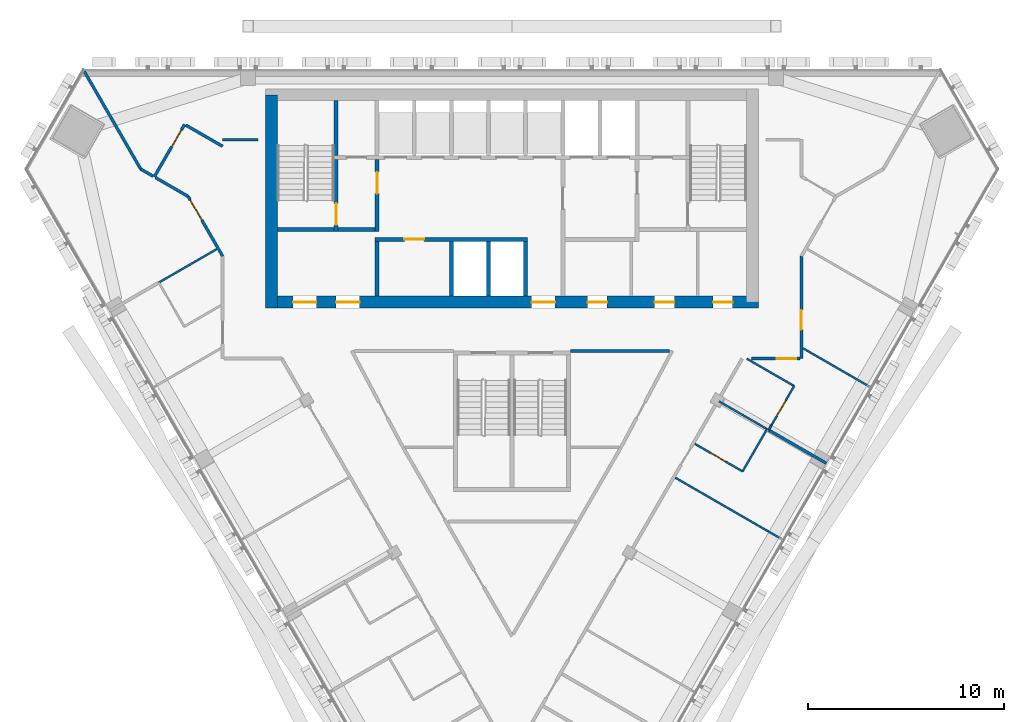
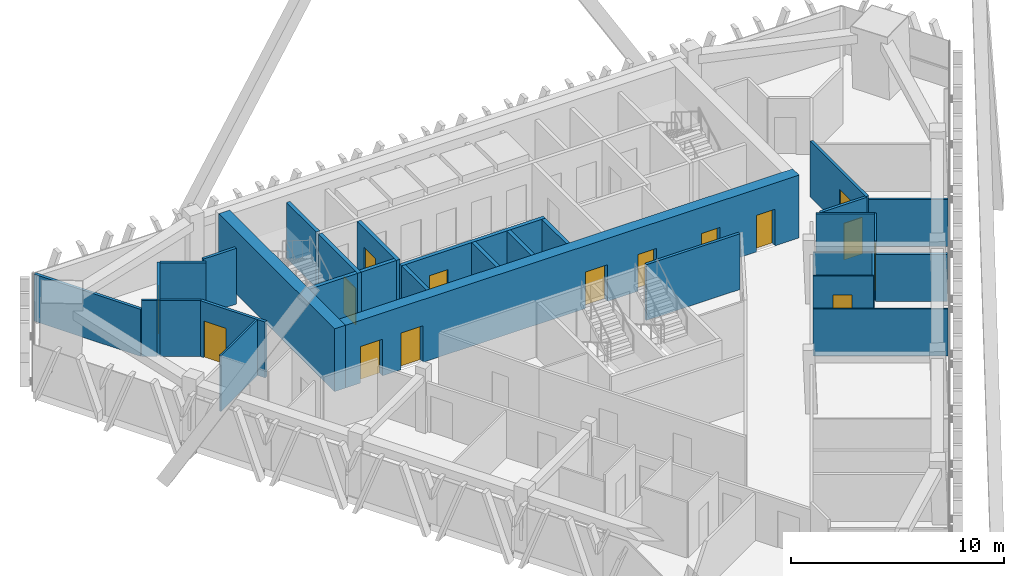
# One storey, part 17 of 22: 32 walls, 15 doors, 15 openings.
"""IFC4 building model written with IfcOpenShell, lengths in metres."""

from ifc_helpers import new_model, si_unit, direction, frame, frame_2d, origin, place, context, subcontext, project, spatial, rectangle, extrude, material, layer, layer_set, type_object, element, fill, save


model = new_model("IFC4")

# Units and contexts
model_context = context("Model", 3, precision=1e-05, world=origin(), true_north=direction((0.0, 1.0)))
body_context = subcontext(model_context, "Body", "Model", "MODEL_VIEW")
ifc_project = project(units=[si_unit("LENGTHUNIT", "METRE"), si_unit("AREAUNIT", "SQUARE_METRE"), si_unit("VOLUMEUNIT", "CUBIC_METRE"), si_unit("PLANEANGLEUNIT", "RADIAN"), si_unit("MASSUNIT", "GRAM", prefix="KILO")], contexts=[model_context])

# Site, building, storey
site_placement = place(None, origin())
site = spatial("IfcSite", under=ifc_project, at=site_placement, CompositionType="ELEMENT")
building_placement = place(site_placement, origin())
building = spatial("IfcBuilding", under=site, at=building_placement, Name="Altiplano Prism Tower", CompositionType="ELEMENT")
storey_placement = place(building_placement, frame((0.0, 0.0, 219.39990234375)))
storey = spatial("IfcBuildingStorey", under=building, at=storey_placement, Name="L56", CompositionType="ELEMENT", Elevation=219.39990234375)

# Wall, openings, doors
ifc_material_1 = material(Name="Concrete C60/75", Category="concrete")
ifc_layer_1 = layer(ifc_material_1, 0.60009765625)
ifc_layer_set_1 = layer_set([ifc_layer_1], Name="Concrete C60/75")
wall_type_1 = type_object("IfcWallType", Name="Core wall 600", PredefinedType="SHEAR", material=ifc_layer_set_1)
wall_1_placement = place(storey_placement, frame((72.699951171875, 93.10009765625, 0.0), z_axis=(0.0, 0.0, 1.0), x_axis=(1.0, 0.0, 0.0)))
wall_1 = element("IfcWall", 1, at=wall_1_placement, inside=storey, type_object=wall_type_1, Name="Core wall S L56", PredefinedType="SHEAR", context=body_context, shape_type="SweptSolid", body=[
    extrude(rectangle(XDim=24.900146484375, YDim=0.60009765625, at=frame_2d((12.4501953125, 0.0))), origin(), (0.0, 0.0, 1.0), 3.60009765625),
])
opening_1_placement = place(wall_1_placement, frame((1.10009765625, 0.0, 0.0)))
opening_1 = element("IfcOpeningElement", 2, at=opening_1_placement, cuts=wall_1, Name="Opening D3360", PredefinedType="OPENING", context=body_context, shape_type="SweptSolid", body=[
    extrude(rectangle(XDim=1.199951171875, YDim=2.10009765625, at=frame_2d((0.60009765625, 1.050048828125))), frame((0.0, 0.310546875, 0.0), z_axis=(0.0, -1.0, 0.0), x_axis=(1.0, 0.0, 0.0)), (0.0, 0.0, 1.0), 0.62109375),
])
opening_2_placement = place(wall_1_placement, frame((3.300048828125, 0.0, 0.0)))
opening_2 = element("IfcOpeningElement", 3, at=opening_2_placement, cuts=wall_1, Name="Opening D3361", PredefinedType="OPENING", context=body_context, shape_type="SweptSolid", body=[
    extrude(rectangle(XDim=1.199951171875, YDim=2.10009765625, at=frame_2d((0.60009765625, 1.050048828125))), frame((0.0, 0.310546875, 0.0), z_axis=(0.0, -1.0, 0.0), x_axis=(1.0, 0.0, 0.0)), (0.0, 0.0, 1.0), 0.62109375),
])
opening_3_placement = place(wall_1_placement, frame((13.300048828125, 0.0, 0.0)))
opening_3 = element("IfcOpeningElement", 4, at=opening_3_placement, cuts=wall_1, Name="Opening D3362", PredefinedType="OPENING", context=body_context, shape_type="SweptSolid", body=[
    extrude(rectangle(XDim=1.199951171875, YDim=2.10009765625, at=frame_2d((0.60009765625, 1.050048828125))), frame((0.0, 0.310546875, 0.0), z_axis=(0.0, -1.0, 0.0), x_axis=(1.0, 0.0, 0.0)), (0.0, 0.0, 1.0), 0.62109375),
])
opening_4_placement = place(wall_1_placement, frame((16.16259765625, 0.0, 0.0)))
opening_4 = element("IfcOpeningElement", 5, at=opening_4_placement, cuts=wall_1, Name="Opening D3365", PredefinedType="OPENING", context=body_context, shape_type="SweptSolid", body=[
    extrude(rectangle(XDim=1.0, YDim=2.10009765625, at=frame_2d((0.5, 1.050048828125))), frame((0.0, 0.310546875, 0.0), z_axis=(0.0, -1.0, 0.0), x_axis=(1.0, 0.0, 0.0)), (0.0, 0.0, 1.0), 0.62109375),
])
opening_5_placement = place(wall_1_placement, frame((19.60009765625, 0.0, 0.0)))
opening_5 = element("IfcOpeningElement", 6, at=opening_5_placement, cuts=wall_1, Name="Opening D3366", PredefinedType="OPENING", context=body_context, shape_type="SweptSolid", body=[
    extrude(rectangle(XDim=1.0, YDim=2.10009765625, at=frame_2d((0.5, 1.050048828125))), frame((0.0, 0.310546875, 0.0), z_axis=(0.0, -1.0, 0.0), x_axis=(1.0, 0.0, 0.0)), (0.0, 0.0, 1.0), 0.62109375),
])
opening_6_placement = place(wall_1_placement, frame((22.58740234375, 0.0, 0.0)))
opening_6 = element("IfcOpeningElement", 7, at=opening_6_placement, cuts=wall_1, Name="Opening D3367", PredefinedType="OPENING", context=body_context, shape_type="SweptSolid", body=[
    extrude(rectangle(XDim=1.0, YDim=2.10009765625, at=frame_2d((0.5, 1.050048828125))), frame((0.0, 0.310546875, 0.0), z_axis=(0.0, -1.0, 0.0), x_axis=(1.0, 0.0, 0.0)), (0.0, 0.0, 1.0), 0.62109375),
])
ifc_material_2 = material(Name="Fire-rated steel door", Category="steel")
door_type_1 = type_object("IfcDoorType", Name="Core room door 1000 x 2100", OperationType="NOTDEFINED", PredefinedType="NOTDEFINED", material=ifc_material_2)
door_1_placement = place(opening_4_placement, origin())
door_1 = element("IfcDoor", 8, at=door_1_placement, inside=storey, type_object=door_type_1, Name="Core room door D3365", OperationType="SINGLE_SWING_RIGHT", OverallHeight=2.10009765625, OverallWidth=1.0, PredefinedType="NOTDEFINED", context=body_context, shape_type="SweptSolid", body=[
    extrude(rectangle(XDim=1.0, YDim=2.10009765625, at=frame_2d((0.5, 1.050048828125))), frame((0.0, 0.02490234375, 0.0), z_axis=(0.0, -1.0, 0.0), x_axis=(1.0, 0.0, 0.0)), (0.0, 0.0, 1.0), 0.050048828125),
])
fill(opening_4, door_1)
door_2_placement = place(opening_5_placement, origin())
door_2 = element("IfcDoor", 9, at=door_2_placement, inside=storey, type_object=door_type_1, Name="Core room door D3366", OperationType="SINGLE_SWING_LEFT", OverallHeight=2.10009765625, OverallWidth=1.0, PredefinedType="NOTDEFINED", context=body_context, shape_type="SweptSolid", body=[
    extrude(rectangle(XDim=1.0, YDim=2.10009765625, at=frame_2d((0.5, 1.050048828125))), frame((0.0, 0.02490234375, 0.0), z_axis=(0.0, -1.0, 0.0), x_axis=(1.0, 0.0, 0.0)), (0.0, 0.0, 1.0), 0.050048828125),
])
fill(opening_5, door_2)
door_3_placement = place(opening_6_placement, origin())
door_3 = element("IfcDoor", 10, at=door_3_placement, inside=storey, type_object=door_type_1, Name="Core room door D3367", OperationType="SINGLE_SWING_RIGHT", OverallHeight=2.10009765625, OverallWidth=1.0, PredefinedType="NOTDEFINED", context=body_context, shape_type="SweptSolid", body=[
    extrude(rectangle(XDim=1.0, YDim=2.10009765625, at=frame_2d((0.5, 1.050048828125))), frame((0.0, 0.02490234375, 0.0), z_axis=(0.0, -1.0, 0.0), x_axis=(1.0, 0.0, 0.0)), (0.0, 0.0, 1.0), 0.050048828125),
])
fill(opening_6, door_3)
door_type_2 = type_object("IfcDoorType", Name="Lobby fire door 1200 x 2100", OperationType="NOTDEFINED", PredefinedType="NOTDEFINED", material=ifc_material_2)
door_4_placement = place(opening_1_placement, origin())
door_4 = element("IfcDoor", 11, at=door_4_placement, inside=storey, type_object=door_type_2, Name="Lobby fire door D3360", OperationType="SINGLE_SWING_RIGHT", OverallHeight=2.10009765625, OverallWidth=1.199951171875, PredefinedType="NOTDEFINED", context=body_context, shape_type="SweptSolid", body=[
    extrude(rectangle(XDim=1.199951171875, YDim=2.10009765625, at=frame_2d((0.60009765625, 1.050048828125))), frame((0.0, 0.02490234375, 0.0), z_axis=(0.0, -1.0, 0.0), x_axis=(1.0, 0.0, 0.0)), (0.0, 0.0, 1.0), 0.050048828125),
])
fill(opening_1, door_4)
door_5_placement = place(opening_2_placement, origin())
door_5 = element("IfcDoor", 12, at=door_5_placement, inside=storey, type_object=door_type_2, Name="Lobby fire door D3361", OperationType="SINGLE_SWING_LEFT", OverallHeight=2.10009765625, OverallWidth=1.199951171875, PredefinedType="NOTDEFINED", context=body_context, shape_type="SweptSolid", body=[
    extrude(rectangle(XDim=1.199951171875, YDim=2.10009765625, at=frame_2d((0.60009765625, 1.050048828125))), frame((0.0, 0.02490234375, 0.0), z_axis=(0.0, -1.0, 0.0), x_axis=(1.0, 0.0, 0.0)), (0.0, 0.0, 1.0), 0.050048828125),
])
fill(opening_2, door_5)
door_6_placement = place(opening_3_placement, origin())
door_6 = element("IfcDoor", 13, at=door_6_placement, inside=storey, type_object=door_type_2, Name="Lobby fire door D3362", OperationType="SINGLE_SWING_RIGHT", OverallHeight=2.10009765625, OverallWidth=1.199951171875, PredefinedType="NOTDEFINED", context=body_context, shape_type="SweptSolid", body=[
    extrude(rectangle(XDim=1.199951171875, YDim=2.10009765625, at=frame_2d((0.60009765625, 1.050048828125))), frame((0.0, 0.02490234375, 0.0), z_axis=(0.0, -1.0, 0.0), x_axis=(1.0, 0.0, 0.0)), (0.0, 0.0, 1.0), 0.050048828125),
])
fill(opening_3, door_6)

# Walls
wall_2_placement = place(storey_placement, frame((72.699951171875, 103.699951171875, 0.0), z_axis=(0.0, 0.0, 1.0), x_axis=(0.0, -1.0, 0.0)))
element("IfcWall", 14, at=wall_2_placement, inside=storey, type_object=wall_type_1, Name="Core wall W L56", PredefinedType="SHEAR", context=body_context, shape_type="SweptSolid", body=[
    extrude(rectangle(XDim=10.89990234375, YDim=0.60009765625, at=frame_2d((5.449951171875, 0.0))), origin(), (0.0, 0.0, 1.0), 3.60009765625),
])
ifc_material_3 = material(Name="Plasterboard on steel stud", Category="steel")
ifc_layer_2 = layer(ifc_material_3, 0.10009765625)
ifc_layer_set_2 = layer_set([ifc_layer_2], Name="Plasterboard on steel stud")
wall_type_2 = type_object("IfcWallType", Name="Partition 100 unit", PredefinedType="PARTITIONING", material=ifc_layer_set_2)
wall_3_placement = place(storey_placement, frame((98.0439453125, 86.6015625, 0.0), z_axis=(0.0, 0.0, 1.0), x_axis=(-0.500004234368, -0.866022959057, 0.0)))
element("IfcWall", 15, at=wall_3_placement, inside=storey, type_object=wall_type_2, Name="Partition P02 L56 048", PredefinedType="PARTITIONING", context=body_context, shape_type="SweptSolid", body=[
    extrude(rectangle(XDim=2.5, YDim=0.10009765625, at=frame_2d((1.25, 0.0))), origin(), (0.0, 0.0, 1.0), 2.800048828125),
])

# Wall, opening, door
wall_4_placement = place(storey_placement, frame((96.7939453125, 84.4365234375, 0.0), z_axis=(0.0, 0.0, 1.0), x_axis=(-0.866011447264, 0.500024172624, 0.0)))
wall_4 = element("IfcWall", 16, at=wall_4_placement, inside=storey, type_object=wall_type_2, Name="Partition P02 L56 049", PredefinedType="PARTITIONING", context=body_context, shape_type="SweptSolid", body=[
    extrude(rectangle(XDim=2.824951171875, YDim=0.10009765625, at=frame_2d((1.41259765625, 0.0))), origin(), (0.0, 0.0, 1.0), 3.2001953125),
])
opening_7_placement = place(wall_4_placement, frame((1.0, 0.0, 0.0)))
opening_7 = element("IfcOpeningElement", 17, at=opening_7_placement, cuts=wall_4, Name="Opening D1890", PredefinedType="OPENING", context=body_context, shape_type="SweptSolid", body=[
    extrude(rectangle(XDim=0.89990234375, YDim=2.10009765625, at=frame_2d((0.449951171875, 1.050048828125))), frame((0.0, 0.060546875, 0.0), z_axis=(0.0, -1.0, 0.0), x_axis=(1.0, 0.0, 0.0)), (0.0, 0.0, 1.0), 0.12109375),
])
ifc_material_4 = material(Name="Timber", Category="wood")
door_type_3 = type_object("IfcDoorType", Name="Ensuite door 900 x 2100", OperationType="NOTDEFINED", PredefinedType="NOTDEFINED", material=ifc_material_4)
door_7_placement = place(opening_7_placement, origin())
door_7 = element("IfcDoor", 18, at=door_7_placement, inside=storey, type_object=door_type_3, Name="Door D1890", OperationType="SINGLE_SWING_RIGHT", OverallHeight=2.10009765625, OverallWidth=0.89990234375, PredefinedType="NOTDEFINED", context=body_context, shape_type="SweptSolid", body=[
    extrude(rectangle(XDim=0.89990234375, YDim=2.10009765625, at=frame_2d((0.449951171875, 1.050048828125))), frame((0.0, 0.02490234375, 0.0), z_axis=(0.0, -1.0, 0.0), x_axis=(1.0, 0.0, 0.0)), (0.0, 0.0, 1.0), 0.050048828125),
])
fill(opening_7, door_7)

# Wall
wall_5_placement = place(storey_placement, frame((97.01123046875, 90.199951171875, 0.0), z_axis=(0.0, 0.0, 1.0), x_axis=(0.866024034475, -0.500002371706, 0.0)))
element("IfcWall", 19, at=wall_5_placement, inside=storey, type_object=wall_type_2, Name="Partition P02 L56 052", PredefinedType="PARTITIONING", context=body_context, shape_type="SweptSolid", body=[
    extrude(rectangle(XDim=2.79345703125, YDim=0.10009765625, at=frame_2d((1.396728515625, 0.0))), origin(), (0.0, 0.0, 1.0), 3.2001953125),
])

# Wall, opening, door
wall_6_placement = place(storey_placement, frame((99.430419921875, 88.80322265625, 0.0), z_axis=(0.0, 0.0, 1.0), x_axis=(-0.499998129301, -0.86602648383, 0.0)))
wall_6 = element("IfcWall", 20, at=wall_6_placement, inside=storey, type_object=wall_type_2, Name="Partition P02 L56 053", PredefinedType="PARTITIONING", context=body_context, shape_type="SweptSolid", body=[
    extrude(rectangle(XDim=2.2998046875, YDim=0.10009765625, at=frame_2d((1.14990234375, 0.0))), origin(), (0.0, 0.0, 1.0), 3.2001953125),
])
opening_8_placement = place(wall_6_placement, frame((0.85205078125, 0.0, 0.0)))
opening_8 = element("IfcOpeningElement", 21, at=opening_8_placement, cuts=wall_6, Name="Opening D1892", PredefinedType="OPENING", context=body_context, shape_type="SweptSolid", body=[
    extrude(rectangle(XDim=0.89990234375, YDim=2.10009765625, at=frame_2d((0.449951171875, 1.050048828125))), frame((0.0, 0.060546875, 0.0), z_axis=(0.0, -1.0, 0.0), x_axis=(1.0, 0.0, 0.0)), (0.0, 0.0, 1.0), 0.12109375),
])
door_8_placement = place(opening_8_placement, origin())
door_8 = element("IfcDoor", 22, at=door_8_placement, inside=storey, type_object=door_type_3, Name="Door D1892", OperationType="SINGLE_SWING_LEFT", OverallHeight=2.10009765625, OverallWidth=0.89990234375, PredefinedType="NOTDEFINED", context=body_context, shape_type="SweptSolid", body=[
    extrude(rectangle(XDim=0.89990234375, YDim=2.10009765625, at=frame_2d((0.449951171875, 1.050048828125))), frame((0.0, 0.02490234375, 0.0), z_axis=(0.0, -1.0, 0.0), x_axis=(1.0, 0.0, 0.0)), (0.0, 0.0, 1.0), 0.050048828125),
])
fill(opening_8, door_8)

# Walls
wall_7_placement = place(storey_placement, frame((98.280517578125, 86.8115234375, 0.0), z_axis=(0.0, 0.0, 1.0), x_axis=(-0.500074377092, -0.865982457891, 0.0)))
element("IfcWall", 23, at=wall_7_placement, inside=storey, type_object=wall_type_2, Name="Partition P02 L56 054", PredefinedType="PARTITIONING", context=body_context, shape_type="SweptSolid", body=[
    extrude(rectangle(XDim=0.30029296875, YDim=0.10009765625, at=frame_2d((0.150146484375, 0.0))), origin(), (0.0, 0.0, 1.0), 2.800048828125),
])
ifc_layer_3 = layer(ifc_material_3, 0.10009765625)
ifc_layer_set_3 = layer_set([ifc_layer_3], Name="Plasterboard on steel stud")
wall_type_3 = type_object("IfcWallType", Name="Partition 100 wet", PredefinedType="PARTITIONING", material=ifc_layer_set_3)
wall_8_placement = place(storey_placement, frame((66.9365234375, 94.095947265625, 0.0), z_axis=(0.0, 0.0, 1.0), x_axis=(0.866032454348, 0.499987787867, 0.0)))
element("IfcWall", 24, at=wall_8_placement, inside=storey, type_object=wall_type_3, Name="Partition P03 L56 026", PredefinedType="PARTITIONING", context=body_context, shape_type="SweptSolid", body=[
    extrude(rectangle(XDim=3.4248046875, YDim=0.10009765625, at=frame_2d((1.71240234375, 0.0))), origin(), (0.0, 0.0, 1.0), 3.2001953125),
])
wall_9_placement = place(storey_placement, frame((98.842529296875, 80.9443359375, 0.0), z_axis=(0.0, 0.0, 1.0), x_axis=(-0.866025401434, 0.500000004071, 0.0)))
element("IfcWall", 25, at=wall_9_placement, inside=storey, type_object=wall_type_3, Name="Partition P03 L56 047", PredefinedType="PARTITIONING", context=body_context, shape_type="SweptSolid", body=[
    extrude(rectangle(XDim=6.34521484375, YDim=0.10009765625, at=frame_2d((3.172607421875, 0.0))), origin(), (0.0, 0.0, 1.0), 2.7001953125),
])
wall_10_placement = place(storey_placement, frame((98.061279296875, 86.591552734375, 0.0), z_axis=(0.0, 0.0, 1.0), x_axis=(-0.866011243319, 0.500024525844, 0.0)))
element("IfcWall", 26, at=wall_10_placement, inside=storey, type_object=wall_type_3, Name="Partition P03 L56 051", PredefinedType="PARTITIONING", context=body_context, shape_type="SweptSolid", body=[
    extrude(rectangle(XDim=2.844970703125, YDim=0.10009765625, at=frame_2d((1.42236328125, 0.0))), origin(), (0.0, 0.0, 1.0), 2.800048828125),
])
wall_11_placement = place(storey_placement, frame((103.342529296875, 88.738525390625, 0.0), z_axis=(0.0, 0.0, 1.0), x_axis=(-0.866031151917, 0.49999004381, 0.0)))
element("IfcWall", 27, at=wall_11_placement, inside=storey, type_object=wall_type_3, Name="Partition P03 L56 055", PredefinedType="PARTITIONING", context=body_context, shape_type="SweptSolid", body=[
    extrude(rectangle(XDim=3.97509765625, YDim=0.10009765625, at=frame_2d((1.987548828125, 0.0))), origin(), (0.0, 0.0, 1.0), 2.7001953125),
])
ifc_layer_4 = layer(ifc_material_3, 0.14990234375)
ifc_layer_set_4 = layer_set([ifc_layer_4], Name="Plasterboard on steel stud")
wall_type_4 = type_object("IfcWallType", Name="Partition 150 corridor", PredefinedType="PARTITIONING", material=ifc_layer_set_4)
wall_12_placement = place(storey_placement, frame((88.0, 90.60009765625, 0.0), z_axis=(0.0, 0.0, 1.0), x_axis=(1.0, 0.0, 0.0)))
element("IfcWall", 28, at=wall_12_placement, inside=storey, type_object=wall_type_4, Name="Partition P06 L56 003", PredefinedType="PARTITIONING", context=body_context, shape_type="SweptSolid", body=[
    extrude(rectangle(XDim=5.068359375, YDim=0.14990234375, at=frame_2d((2.5341796875, 0.0))), origin(), (0.0, 0.0, 1.0), 3.2001953125),
])
wall_13_placement = place(storey_placement, frame((66.767333984375, 99.462890625, 0.0), z_axis=(0.0, 0.0, 1.0), x_axis=(0.86605048973, -0.49995654735, 0.0)))
element("IfcWall", 29, at=wall_13_placement, inside=storey, type_object=wall_type_4, Name="Partition P06 L56 007", PredefinedType="PARTITIONING", context=body_context, shape_type="SweptSolid", body=[
    extrude(rectangle(XDim=1.926025390625, YDim=0.14990234375, at=frame_2d((0.962890625, 0.0))), origin(), (0.0, 0.0, 1.0), 3.2001953125),
])

# Wall, opening, door
wall_14_placement = place(storey_placement, frame((68.435302734375, 98.5, 0.0), z_axis=(0.0, 0.0, 1.0), x_axis=(0.499977931934, -0.866038144413, 0.0)))
wall_14 = element("IfcWall", 30, at=wall_14_placement, inside=storey, type_object=wall_type_4, Name="Partition P06 L56 008", PredefinedType="PARTITIONING", context=body_context, shape_type="SweptSolid", body=[
    extrude(rectangle(XDim=3.529541015625, YDim=0.14990234375, at=frame_2d((1.7646484375, 0.0))), origin(), (0.0, 0.0, 1.0), 3.2001953125),
])
opening_9_placement = place(wall_14_placement, frame((0.199951171875, 0.0, 0.0)))
opening_9 = element("IfcOpeningElement", 31, at=opening_9_placement, cuts=wall_14, Name="Opening D1875", PredefinedType="OPENING", context=body_context, shape_type="SweptSolid", body=[
    extrude(rectangle(XDim=1.199951171875, YDim=2.10009765625, at=frame_2d((0.60009765625, 1.050048828125))), frame((0.0, 0.08544921875, 0.0), z_axis=(0.0, -1.0, 0.0), x_axis=(1.0, 0.0, 0.0)), (0.0, 0.0, 1.0), 0.1708984375),
])
door_type_4 = type_object("IfcDoorType", Name="Shared room door 1200 x 2100", OperationType="NOTDEFINED", PredefinedType="NOTDEFINED", material=ifc_material_4)
door_9_placement = place(opening_9_placement, origin())
door_9 = element("IfcDoor", 32, at=door_9_placement, inside=storey, type_object=door_type_4, Name="Door D1875", OperationType="SINGLE_SWING_LEFT", OverallHeight=2.10009765625, OverallWidth=1.199951171875, PredefinedType="NOTDEFINED", context=body_context, shape_type="SweptSolid", body=[
    extrude(rectangle(XDim=1.199951171875, YDim=2.10009765625, at=frame_2d((0.60009765625, 1.050048828125))), frame((0.0, 0.02490234375, 0.0), z_axis=(0.0, -1.0, 0.0), x_axis=(1.0, 0.0, 0.0)), (0.0, 0.0, 1.0), 0.050048828125),
])
fill(opening_9, door_9)

wall_15_placement = place(storey_placement, frame((97.2412109375, 90.199951171875, 0.0), z_axis=(0.0, 0.0, 1.0), x_axis=(1.0, 0.0, 0.0)))
wall_15 = element("IfcWall", 33, at=wall_15_placement, inside=storey, type_object=wall_type_4, Name="Partition P06 L56 013", PredefinedType="PARTITIONING", context=body_context, shape_type="SweptSolid", body=[
    extrude(rectangle(XDim=2.48388671875, YDim=0.14990234375, at=frame_2d((1.241943359375, 0.0))), origin(), (0.0, 0.0, 1.0), 3.2001953125),
])
opening_10_placement = place(wall_15_placement, frame((1.2890625, 0.0, 0.0)))
opening_10 = element("IfcOpeningElement", 34, at=opening_10_placement, cuts=wall_15, Name="Opening D1891", PredefinedType="OPENING", context=body_context, shape_type="SweptSolid", body=[
    extrude(rectangle(XDim=1.0, YDim=2.10009765625, at=frame_2d((0.5, 1.050048828125))), frame((0.0, 0.08544921875, 0.0), z_axis=(0.0, -1.0, 0.0), x_axis=(1.0, 0.0, 0.0)), (0.0, 0.0, 1.0), 0.1708984375),
])
door_type_5 = type_object("IfcDoorType", Name="Bedroom entrance door 1000 x 2100", OperationType="NOTDEFINED", PredefinedType="NOTDEFINED", material=ifc_material_4)
door_10_placement = place(opening_10_placement, origin())
door_10 = element("IfcDoor", 35, at=door_10_placement, inside=storey, type_object=door_type_5, Name="Door D1891", OperationType="SINGLE_SWING_LEFT", OverallHeight=2.10009765625, OverallWidth=1.0, PredefinedType="NOTDEFINED", context=body_context, shape_type="SweptSolid", body=[
    extrude(rectangle(XDim=1.0, YDim=2.10009765625, at=frame_2d((0.5, 1.050048828125))), frame((0.0, 0.02490234375, 0.0), z_axis=(0.0, -1.0, 0.0), x_axis=(1.0, 0.0, 0.0)), (0.0, 0.0, 1.0), 0.050048828125),
])
fill(opening_10, door_10)

wall_16_placement = place(storey_placement, frame((99.800048828125, 90.199951171875, 0.0), z_axis=(0.0, 0.0, 1.0), x_axis=(0.0, 1.0, 0.0)))
wall_16 = element("IfcWall", 36, at=wall_16_placement, inside=storey, type_object=wall_type_4, Name="Partition P06 L56 014", PredefinedType="PARTITIONING", context=body_context, shape_type="SweptSolid", body=[
    extrude(rectangle(XDim=5.243408203125, YDim=0.14990234375, at=frame_2d((2.62158203125, 0.0))), origin(), (0.0, 0.0, 1.0), 3.2001953125),
])
opening_11_placement = place(wall_16_placement, frame((1.486083984375, 0.0, 0.0)))
opening_11 = element("IfcOpeningElement", 37, at=opening_11_placement, cuts=wall_16, Name="Opening D1893", PredefinedType="OPENING", context=body_context, shape_type="SweptSolid", body=[
    extrude(rectangle(XDim=1.0, YDim=2.10009765625, at=frame_2d((0.5, 1.050048828125))), frame((0.0, 0.08544921875, 0.0), z_axis=(0.0, -1.0, 0.0), x_axis=(1.0, 0.0, 0.0)), (0.0, 0.0, 1.0), 0.1708984375),
])
door_type_6 = type_object("IfcDoorType", Name="Room door 1000 x 2100", OperationType="NOTDEFINED", PredefinedType="NOTDEFINED", material=ifc_material_4)
door_11_placement = place(opening_11_placement, origin())
door_11 = element("IfcDoor", 38, at=door_11_placement, inside=storey, type_object=door_type_6, Name="Door D1893", OperationType="SINGLE_SWING_LEFT", OverallHeight=2.10009765625, OverallWidth=1.0, PredefinedType="NOTDEFINED", context=body_context, shape_type="SweptSolid", body=[
    extrude(rectangle(XDim=1.0, YDim=2.10009765625, at=frame_2d((0.5, 1.050048828125))), frame((0.0, 0.02490234375, 0.0), z_axis=(0.0, -1.0, 0.0), x_axis=(1.0, 0.0, 0.0)), (0.0, 0.0, 1.0), 0.050048828125),
])
fill(opening_11, door_11)

# Walls
wall_17_placement = place(storey_placement, frame((72.0, 101.40087890625, 0.0), z_axis=(0.0, 0.0, 1.0), x_axis=(-1.0, 0.0, 0.0)))
element("IfcWall", 39, at=wall_17_placement, inside=storey, type_object=wall_type_4, Name="Partition P06 L56 019", PredefinedType="PARTITIONING", context=body_context, shape_type="SweptSolid", body=[
    extrude(rectangle(XDim=1.80029296875, YDim=0.14990234375, at=frame_2d((0.900146484375, 0.0))), origin(), (0.0, 0.0, 1.0), 3.2001953125),
])
wall_18_placement = place(storey_placement, frame((70.198974609375, 101.0625, 0.0), z_axis=(0.0, 0.0, 1.0), x_axis=(-0.866097618038, 0.499874900378, 0.0)))
element("IfcWall", 40, at=wall_18_placement, inside=storey, type_object=wall_type_4, Name="Partition P06 L56 020", PredefinedType="PARTITIONING", context=body_context, shape_type="SweptSolid", body=[
    extrude(rectangle(XDim=2.171875, YDim=0.14990234375, at=frame_2d((1.0859375, 0.0))), origin(), (0.0, 0.0, 1.0), 3.2001953125),
])

# Wall, opening, door
wall_19_placement = place(storey_placement, frame((68.2529296875, 102.185546875, 0.0), z_axis=(0.0, 0.0, 1.0), x_axis=(-0.50007687212, -0.865981017096, 0.0)))
wall_19 = element("IfcWall", 41, at=wall_19_placement, inside=storey, type_object=wall_type_4, Name="Partition P06 L56 021", PredefinedType="PARTITIONING", context=body_context, shape_type="SweptSolid", body=[
    extrude(rectangle(XDim=3.1005859375, YDim=0.14990234375, at=frame_2d((1.55029296875, 0.0))), origin(), (0.0, 0.0, 1.0), 3.2001953125),
])
opening_12_placement = place(wall_19_placement, frame((0.322021484375, 0.0, 0.0)))
opening_12 = element("IfcOpeningElement", 42, at=opening_12_placement, cuts=wall_19, Name="Opening D1896", PredefinedType="OPENING", context=body_context, shape_type="SweptSolid", body=[
    extrude(rectangle(XDim=1.0, YDim=2.10009765625, at=frame_2d((0.5, 1.050048828125))), frame((0.0, 0.08544921875, 0.0), z_axis=(0.0, -1.0, 0.0), x_axis=(1.0, 0.0, 0.0)), (0.0, 0.0, 1.0), 0.1708984375),
])
door_type_7 = type_object("IfcDoorType", Name="Store door 1000 x 2100", OperationType="NOTDEFINED", PredefinedType="NOTDEFINED", material=ifc_material_4)
door_12_placement = place(opening_12_placement, origin())
door_12 = element("IfcDoor", 43, at=door_12_placement, inside=storey, type_object=door_type_7, Name="Door D1896", OperationType="SINGLE_SWING_LEFT", OverallHeight=2.10009765625, OverallWidth=1.0, PredefinedType="NOTDEFINED", context=body_context, shape_type="SweptSolid", body=[
    extrude(rectangle(XDim=1.0, YDim=2.10009765625, at=frame_2d((0.5, 1.050048828125))), frame((0.0, 0.02490234375, 0.0), z_axis=(0.0, -1.0, 0.0), x_axis=(1.0, 0.0, 0.0)), (0.0, 0.0, 1.0), 0.050048828125),
])
fill(opening_12, door_12)

# Walls
ifc_layer_5 = layer(ifc_material_3, 0.14990234375)
ifc_layer_set_5 = layer_set([ifc_layer_5], Name="Plasterboard on steel stud")
wall_type_5 = type_object("IfcWallType", Name="Partition 150 party", PredefinedType="PARTITIONING", material=ifc_layer_set_5)
wall_20_placement = place(storey_placement, frame((66.637451171875, 99.5380859375, 0.0), z_axis=(0.0, 0.0, 1.0), x_axis=(-0.866006986733, 0.500031897912, 0.0)))
element("IfcWall", 44, at=wall_20_placement, inside=storey, type_object=wall_type_5, Name="Partition P01 L56 027", PredefinedType="PARTITIONING", context=body_context, shape_type="SweptSolid", body=[
    extrude(rectangle(XDim=0.728515625, YDim=0.14990234375, at=frame_2d((0.3642578125, 0.0))), origin(), (0.0, 0.0, 1.0), 3.2001953125),
])
wall_21_placement = place(storey_placement, frame((66.006591796875, 99.90234375, 0.0), z_axis=(0.0, 0.0, 1.0), x_axis=(-0.500020306647, 0.866013679419, 0.0)))
element("IfcWall", 45, at=wall_21_placement, inside=storey, type_object=wall_type_5, Name="Partition P01 L56 028", PredefinedType="PARTITIONING", context=body_context, shape_type="SweptSolid", body=[
    extrude(rectangle(XDim=5.770751953125, YDim=0.14990234375, at=frame_2d((2.88525390625, 0.0))), origin(), (0.0, 0.0, 1.0), 2.7001953125),
])
wall_22_placement = place(storey_placement, frame((101.074951171875, 84.8515625, 0.0), z_axis=(0.0, 0.0, 1.0), x_axis=(-0.866038511948, 0.499977295307, 0.0)))
element("IfcWall", 46, at=wall_22_placement, inside=storey, type_object=wall_type_5, Name="Partition P01 L56 050", PredefinedType="PARTITIONING", context=body_context, shape_type="SweptSolid", body=[
    extrude(rectangle(XDim=3.400146484375, YDim=0.14990234375, at=frame_2d((1.7001953125, 0.0))), origin(), (0.0, 0.0, 1.0), 2.7001953125),
])
ifc_layer_6 = layer(ifc_material_1, 0.199951171875)
ifc_layer_set_6 = layer_set([ifc_layer_6], Name="Concrete C60/75")
wall_type_6 = type_object("IfcWallType", Name="Shaft wall 200", PredefinedType="SOLIDWALL", material=ifc_layer_set_6)
for number, where, z_axis, x_axis, name in (
    (47, (81.89990234375, 93.39990234375, 0.0), (0.0, 0.0, 1.0), (0.0, 1.0, 0.0), "Shaft wall L56"),
    (48, (83.800048828125, 93.39990234375, 0.0), (0.0, 0.0, 1.0), (0.0, 1.0, 0.0), "Shaft wall L56"),
    (49, (85.699951171875, 93.39990234375, 0.0), (0.0, 0.0, 1.0), (0.0, 1.0, 0.0), "Shaft wall L56"),
):
    element("IfcWall", number, at=place(storey_placement, frame(where, z_axis=z_axis, x_axis=x_axis)), inside=storey, type_object=wall_type_6, Name=name, PredefinedType="SOLIDWALL", context=body_context, shape_type="SweptSolid", body=[
        extrude(rectangle(XDim=2.800048828125, YDim=0.199951171875, at=frame_2d((1.39990234375, 0.0))), origin(), (0.0, 0.0, 1.0), 3.2001953125),
    ])

# Wall, opening, door
wall_23_placement = place(storey_placement, frame((78.0, 96.300048828125, 0.0), z_axis=(0.0, 0.0, 1.0), x_axis=(1.0, 0.0, 0.0)))
wall_23 = element("IfcWall", 50, at=wall_23_placement, inside=storey, type_object=wall_type_6, Name="Shaft wall L56", PredefinedType="SOLIDWALL", context=body_context, shape_type="SweptSolid", body=[
    extrude(rectangle(XDim=7.800048828125, YDim=0.199951171875, at=frame_2d((3.89990234375, 0.0))), origin(), (0.0, 0.0, 1.0), 3.2001953125),
])
opening_13_placement = place(wall_23_placement, frame((1.5, 0.0, 0.0)))
opening_13 = element("IfcOpeningElement", 51, at=opening_13_placement, cuts=wall_23, Name="Opening D3368", PredefinedType="OPENING", context=body_context, shape_type="SweptSolid", body=[
    extrude(rectangle(XDim=1.0, YDim=2.10009765625, at=frame_2d((0.5, 1.050048828125))), frame((0.0, 0.1103515625, 0.0), z_axis=(0.0, -1.0, 0.0), x_axis=(1.0, 0.0, 0.0)), (0.0, 0.0, 1.0), 0.220947265625),
])
door_13_placement = place(opening_13_placement, origin())
door_13 = element("IfcDoor", 52, at=door_13_placement, inside=storey, type_object=door_type_1, Name="Core room door D3368", OperationType="SINGLE_SWING_RIGHT", OverallHeight=2.10009765625, OverallWidth=1.0, PredefinedType="NOTDEFINED", context=body_context, shape_type="SweptSolid", body=[
    extrude(rectangle(XDim=1.0, YDim=2.10009765625, at=frame_2d((0.5, 1.050048828125))), frame((0.0, 0.02490234375, 0.0), z_axis=(0.0, -1.0, 0.0), x_axis=(1.0, 0.0, 0.0)), (0.0, 0.0, 1.0), 0.050048828125),
])
fill(opening_13, door_13)

# Wall
ifc_layer_7 = layer(ifc_material_1, 0.199951171875)
ifc_layer_set_7 = layer_set([ifc_layer_7], Name="Concrete C60/75")
wall_type_7 = type_object("IfcWallType", Name="Stair wall 200", PredefinedType="SOLIDWALL", material=ifc_layer_set_7)
wall_24_placement = place(storey_placement, frame((73.0, 96.800048828125, 0.0), z_axis=(0.0, 0.0, 1.0), x_axis=(1.0, 0.0, 0.0)))
element("IfcWall", 53, at=wall_24_placement, inside=storey, type_object=wall_type_7, Name="Stair wall L56", PredefinedType="SOLIDWALL", context=body_context, shape_type="SweptSolid", body=[
    extrude(rectangle(XDim=2.89990234375, YDim=0.199951171875, at=frame_2d((1.449951171875, 0.0))), origin(), (0.0, 0.0, 1.0), 3.2001953125),
])

# Wall, opening, door
wall_25_placement = place(storey_placement, frame((76.0, 96.699951171875, 0.0), z_axis=(0.0, 0.0, 1.0), x_axis=(0.0, 1.0, 0.0)))
wall_25 = element("IfcWall", 54, at=wall_25_placement, inside=storey, type_object=wall_type_7, Name="Stair wall L56", PredefinedType="SOLIDWALL", context=body_context, shape_type="SweptSolid", body=[
    extrude(rectangle(XDim=3.699951171875, YDim=0.199951171875, at=frame_2d((1.85009765625, 0.0))), origin(), (0.0, 0.0, 1.0), 3.2001953125),
])
opening_14_placement = place(wall_25_placement, frame((0.35009765625, 0.0, 0.0)))
opening_14 = element("IfcOpeningElement", 55, at=opening_14_placement, cuts=wall_25, Name="Opening D3355", PredefinedType="OPENING", context=body_context, shape_type="SweptSolid", body=[
    extrude(rectangle(XDim=1.10009765625, YDim=2.10009765625, at=frame_2d((0.550048828125, 1.050048828125))), frame((0.0, 0.1103515625, 0.0), z_axis=(0.0, -1.0, 0.0), x_axis=(1.0, 0.0, 0.0)), (0.0, 0.0, 1.0), 0.220947265625),
])
door_type_8 = type_object("IfcDoorType", Name="Stair fire door 1100 x 2100", OperationType="NOTDEFINED", PredefinedType="NOTDEFINED", material=ifc_material_2)
door_14_placement = place(opening_14_placement, origin())
door_14 = element("IfcDoor", 56, at=door_14_placement, inside=storey, type_object=door_type_8, Name="Stair fire door D3355", OperationType="SINGLE_SWING_RIGHT", OverallHeight=2.10009765625, OverallWidth=1.10009765625, PredefinedType="NOTDEFINED", context=body_context, shape_type="SweptSolid", body=[
    extrude(rectangle(XDim=1.10009765625, YDim=2.10009765625, at=frame_2d((0.550048828125, 1.050048828125))), frame((0.0, 0.02490234375, 0.0), z_axis=(0.0, -1.0, 0.0), x_axis=(1.0, 0.0, 0.0)), (0.0, 0.0, 1.0), 0.050048828125),
])
fill(opening_14, door_14)

# Walls
wall_26_placement = place(storey_placement, frame((76.0, 100.60009765625, 0.0), z_axis=(0.0, 0.0, 1.0), x_axis=(0.0, 1.0, 0.0)))
element("IfcWall", 57, at=wall_26_placement, inside=storey, type_object=wall_type_7, Name="Stair wall L56", PredefinedType="SOLIDWALL", context=body_context, shape_type="SweptSolid", body=[
    extrude(rectangle(XDim=2.7998046875, YDim=0.199951171875, at=frame_2d((1.39990234375, 0.0))), origin(), (0.0, 0.0, 1.0), 3.2001953125),
])
ifc_layer_8 = layer(ifc_material_1, 0.199951171875)
ifc_layer_set_8 = layer_set([ifc_layer_8], Name="Concrete C60/75")
wall_type_8 = type_object("IfcWallType", Name="Vestibule wall 200", PredefinedType="PARTITIONING", material=ifc_layer_set_8)
wall_27_placement = place(storey_placement, frame((78.10009765625, 93.39990234375, 0.0), z_axis=(0.0, 0.0, 1.0), x_axis=(0.0, 1.0, 0.0)))
element("IfcWall", 58, at=wall_27_placement, inside=storey, type_object=wall_type_8, Name="Vestibule wall L56", PredefinedType="PARTITIONING", context=body_context, shape_type="SweptSolid", body=[
    extrude(rectangle(XDim=2.800048828125, YDim=0.199951171875, at=frame_2d((1.39990234375, 0.0))), origin(), (0.0, 0.0, 1.0), 3.2001953125),
])
wall_28_placement = place(storey_placement, frame((76.10009765625, 96.800048828125, 0.0), z_axis=(0.0, 0.0, 1.0), x_axis=(1.0, 0.0, 0.0)))
element("IfcWall", 59, at=wall_28_placement, inside=storey, type_object=wall_type_8, Name="Vestibule wall L56", PredefinedType="PARTITIONING", context=body_context, shape_type="SweptSolid", body=[
    extrude(rectangle(XDim=1.89990234375, YDim=0.199951171875, at=frame_2d((0.949951171875, 0.0))), origin(), (0.0, 0.0, 1.0), 3.2001953125),
])

# Wall, opening, door
wall_29_placement = place(storey_placement, frame((78.10009765625, 96.699951171875, 0.0), z_axis=(0.0, 0.0, 1.0), x_axis=(0.0, 1.0, 0.0)))
wall_29 = element("IfcWall", 60, at=wall_29_placement, inside=storey, type_object=wall_type_8, Name="Vestibule wall L56", PredefinedType="PARTITIONING", context=body_context, shape_type="SweptSolid", body=[
    extrude(rectangle(XDim=3.699951171875, YDim=0.199951171875, at=frame_2d((1.85009765625, 0.0))), origin(), (0.0, 0.0, 1.0), 3.2001953125),
])
opening_15_placement = place(wall_29_placement, frame((1.949951171875, 0.0, 0.0)))
opening_15 = element("IfcOpeningElement", 61, at=opening_15_placement, cuts=wall_29, Name="Opening D3357", PredefinedType="OPENING", context=body_context, shape_type="SweptSolid", body=[
    extrude(rectangle(XDim=1.10009765625, YDim=2.10009765625, at=frame_2d((0.550048828125, 1.050048828125))), frame((0.0, 0.1103515625, 0.0), z_axis=(0.0, -1.0, 0.0), x_axis=(1.0, 0.0, 0.0)), (0.0, 0.0, 1.0), 0.220947265625),
])
door_type_9 = type_object("IfcDoorType", Name="Vestibule fire door 1100 x 2100", OperationType="NOTDEFINED", PredefinedType="NOTDEFINED", material=ifc_material_2)
door_15_placement = place(opening_15_placement, origin())
door_15 = element("IfcDoor", 62, at=door_15_placement, inside=storey, type_object=door_type_9, Name="Vestibule fire door D3357", OperationType="SINGLE_SWING_LEFT", OverallHeight=2.10009765625, OverallWidth=1.10009765625, PredefinedType="NOTDEFINED", context=body_context, shape_type="SweptSolid", body=[
    extrude(rectangle(XDim=1.10009765625, YDim=2.10009765625, at=frame_2d((0.550048828125, 1.050048828125))), frame((0.0, 0.02490234375, 0.0), z_axis=(0.0, -1.0, 0.0), x_axis=(1.0, 0.0, 0.0)), (0.0, 0.0, 1.0), 0.050048828125),
])
fill(opening_15, door_15)

save(model, "model.ifc")
